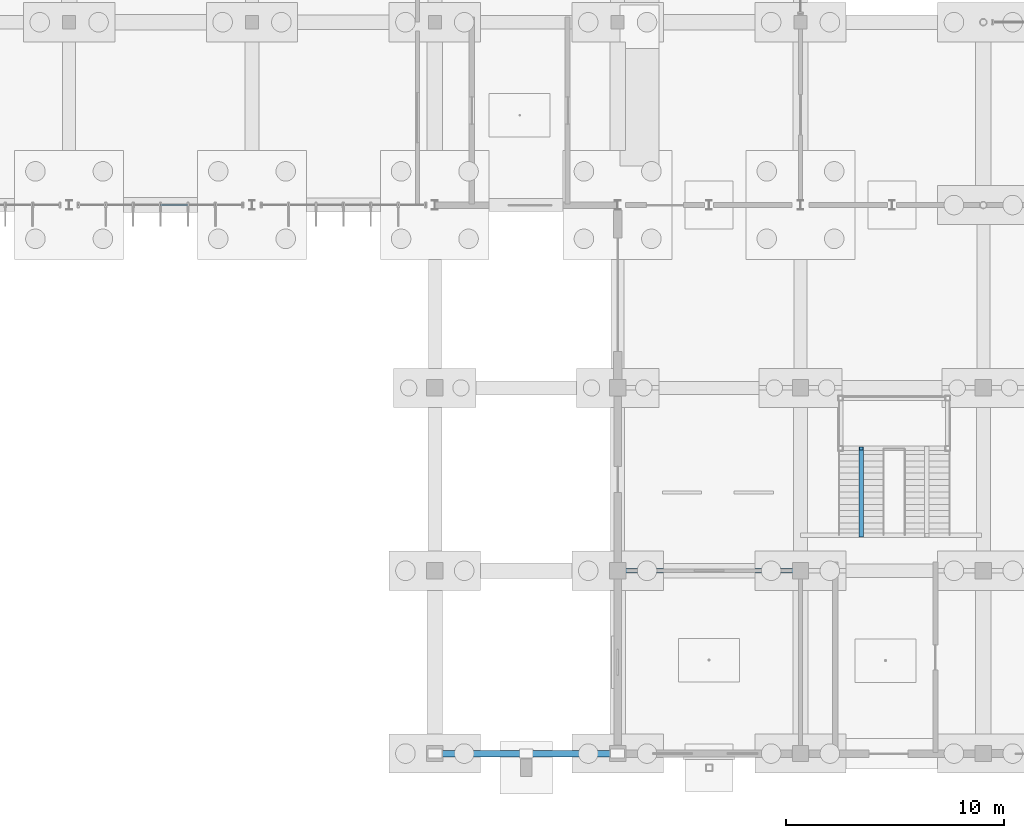
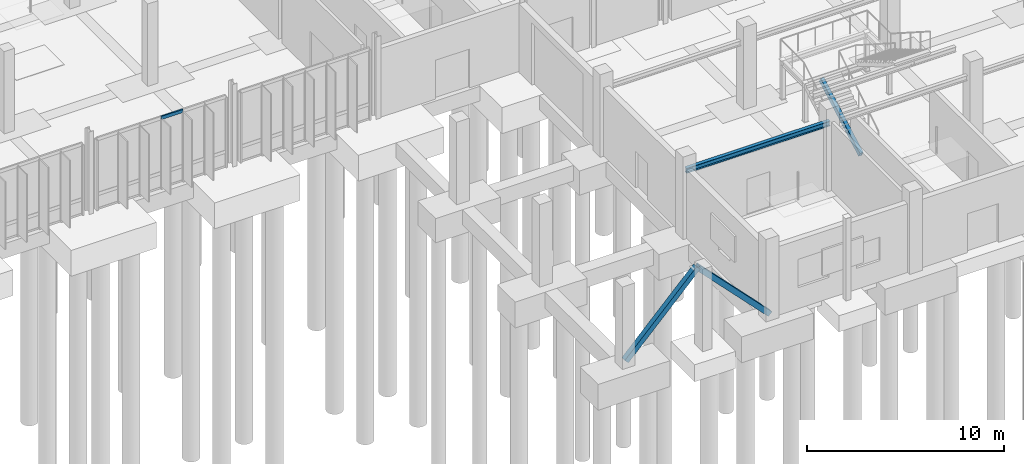
# One storey, part 29 of 119: 4 members, 1 beam, 1 element without a shape of its own.
"""IFC4 building model written with IfcOpenShell, lengths in metres."""

from ifc_helpers import new_model, si_unit, derived_unit, direction, frame, origin, origin_2d, place, context, subcontext, project, spatial, hollow_rectangle, i_section, extrude, material, layer, layer_set, material_profile, profile_set, type_object, element, aggregate, save


model = new_model("IFC4")

# Units and contexts
model_context = context("Model", 3, precision=1e-05, world=origin(), true_north=direction((0.0, 1.0)))
body_context = subcontext(model_context, "Body", "Model", "MODEL_VIEW")
ifc_project = project(units=[si_unit("LENGTHUNIT", "METRE"), si_unit("AREAUNIT", "SQUARE_METRE"), si_unit("VOLUMEUNIT", "CUBIC_METRE"), si_unit("PLANEANGLEUNIT", "RADIAN"), si_unit("MASSUNIT", "GRAM", prefix="KILO"), derived_unit("THERMALTRANSMITTANCEUNIT", [(si_unit("MASSUNIT", "GRAM", prefix="KILO"), 1), (si_unit("TIMEUNIT", "SECOND"), -3), (si_unit("THERMODYNAMICTEMPERATUREUNIT", "KELVIN"), -1)])], contexts=[model_context])

# Site, building, storey
site_placement = place(None, origin())
site = spatial("IfcSite", under=ifc_project, at=site_placement, CompositionType="ELEMENT")
building_placement = place(site_placement, origin())
building = spatial("IfcBuilding", under=site, at=building_placement, Name="Makaiwela Harbour Ferry Terminal", CompositionType="ELEMENT")
storey_placement = place(building_placement, origin())
storey = spatial("IfcBuildingStorey", under=building, at=storey_placement, Name="L00", CompositionType="ELEMENT", Elevation=0.0)

# Curtain wall, member
ifc_material_1 = material(Name="Marine anodised aluminium 6063-T6", Category="aluminium")
ifc_layer = layer(ifc_material_1, 0.199951171875)
ifc_layer_set = layer_set([ifc_layer], Name="Marine anodised aluminium 6063-T6")
curtain_wall_type = type_object("IfcCurtainWallType", Name="ENV-CW-10", PredefinedType="USERDEFINED", material=ifc_layer_set)
curtain_wall_placement = place(storey_placement, origin())
curtain_wall = element("IfcCurtainWall", 1, at=curtain_wall_placement, inside=storey, type_object=curtain_wall_type, Name="Unitised Curtain Wall CWA-100", ObjectType="UNITIZED CURTAIN WALL", PredefinedType="USERDEFINED")
ifc_material_profile_1 = material_profile(ifc_material_1, hollow_rectangle(XDim=0.0849609375, YDim=0.199951171875, WallThickness=0.0048828125, at=origin_2d()), Name="CWT-200X85")
ifc_profile_set_1 = profile_set([ifc_material_profile_1], Name="Marine anodised aluminium 6063-T6")
member_type_1 = type_object("IfcMemberType", Name="CW-TRN-200", PredefinedType="USERDEFINED", material=ifc_profile_set_1)
member_1_placement = place(storey_placement, frame((43.260009765625, 25.199951171875, 4.35009765625), z_axis=(-1.0, 0.0, 0.0), x_axis=(0.0, -1.0, 0.0)))
member_1 = element("IfcMember", 2, at=member_1_placement, type_object=member_type_1, Name="Curtain Wall Transom CWA-100-3-3", ObjectType="TRANSOM", PredefinedType="USERDEFINED", context=body_context, shape_type="SweptSolid", body=[
    extrude(hollow_rectangle(XDim=0.0849609375, YDim=0.199951171875, WallThickness=0.0048828125, at=origin_2d()), origin(), (0.0, 0.0, 1.0), 1.260009765625),
])
aggregate(curtain_wall, [member_1])

# Members
ifc_material_2 = material(Name="Steel ASTM A500 Grade C", Category="steel")
ifc_material_profile_2 = material_profile(ifc_material_2, hollow_rectangle(XDim=0.304931640625, YDim=0.304931640625, WallThickness=0.0146484375, at=origin_2d()), Name="HSS12X12X5/8")
ifc_profile_set_2 = profile_set([ifc_material_profile_2], Name="Steel ASTM A500 Grade C")
member_type_2 = type_object("IfcMemberType", Name="STR-BRC-HSS12", PredefinedType="BRACE", material=ifc_profile_set_2)
for number, where, z_axis, x_axis, name in (
    (3, (54.60009765625, 0.0, 0.219970703125), (0.696623162021, 0.0, 0.717437223829), (0.0, 1.0, 0.0), "Lateral chevron brace 1A"),
    (4, (63.0, 0.0, 0.219970703125), (-0.696623162021, 0.0, 0.717437223829), (0.0, -1.0, 0.0), "Lateral chevron brace 1B"),
):
    element("IfcMember", number, at=place(storey_placement, frame(where, z_axis=z_axis, x_axis=x_axis)), inside=storey, type_object=member_type_2, Name=name, PredefinedType="BRACE", context=body_context, shape_type="SweptSolid", body=[
        extrude(hollow_rectangle(XDim=0.304931640625, YDim=0.304931640625, WallThickness=0.0146484375, at=origin_2d()), origin(), (0.0, 0.0, 1.0), 6.029052734375),
    ])

# Beam
ifc_material_3 = material(Name="Steel ASTM A992 Grade 50", Category="steel")
ifc_material_profile_3 = material_profile(ifc_material_3, i_section(OverallWidth=0.205078125, OverallDepth=0.31005859375, WebThickness=0.009521484375, FlangeThickness=0.016357421875, at=origin_2d()), Name="W12X50")
ifc_profile_set_3 = profile_set([ifc_material_profile_3], Name="Steel ASTM A992 Grade 50")
beam_type = type_object("IfcBeamType", Name="STR-LNT-W12X50", PredefinedType="LINTEL", material=ifc_profile_set_3)
beam_placement = place(storey_placement, frame((63.0, 8.39990234375, 3.949951171875), z_axis=(1.0, 0.0, 0.0), x_axis=(0.0, 1.0, 0.0)))
element("IfcBeam", 5, at=beam_placement, inside=storey, type_object=beam_type, Name="Interior aisle lintel 1", PredefinedType="LINTEL", context=body_context, shape_type="SweptSolid", body=[
    extrude(i_section(OverallWidth=0.205078125, OverallDepth=0.31005859375, WebThickness=0.009521484375, FlangeThickness=0.016357421875, at=origin_2d()), origin(), (0.0, 0.0, 1.0), 8.39990234375),
])

# Member
ifc_material_profile_4 = material_profile(ifc_material_2, hollow_rectangle(XDim=0.202880859375, YDim=0.304931640625, WallThickness=0.01171875, at=origin_2d()), Name="HSS12X8X1/2")
ifc_profile_set_4 = profile_set([ifc_material_profile_4], Name="Steel ASTM A500 Grade C")
member_type_3 = type_object("IfcMemberType", Name="STR-STR-HSS12X8", PredefinedType="STRINGER", material=ifc_profile_set_4)
member_2_placement = place(storey_placement, frame((74.18994140625, 10.030029296875, 0.010009765625), z_axis=(0.0, 0.872439555383, 0.488722029586), x_axis=(-1.0, 0.0, 0.0)))
element("IfcMember", 6, at=member_2_placement, inside=storey, type_object=member_type_3, Name="Stair Stringer ST-07-L00-S1", PredefinedType="STRINGER", context=body_context, shape_type="SweptSolid", body=[
    extrude(hollow_rectangle(XDim=0.202880859375, YDim=0.304931640625, WallThickness=0.01171875, at=origin_2d()), origin(), (0.0, 0.0, 1.0), 4.573486328125),
])

save(model, "model.ifc")
